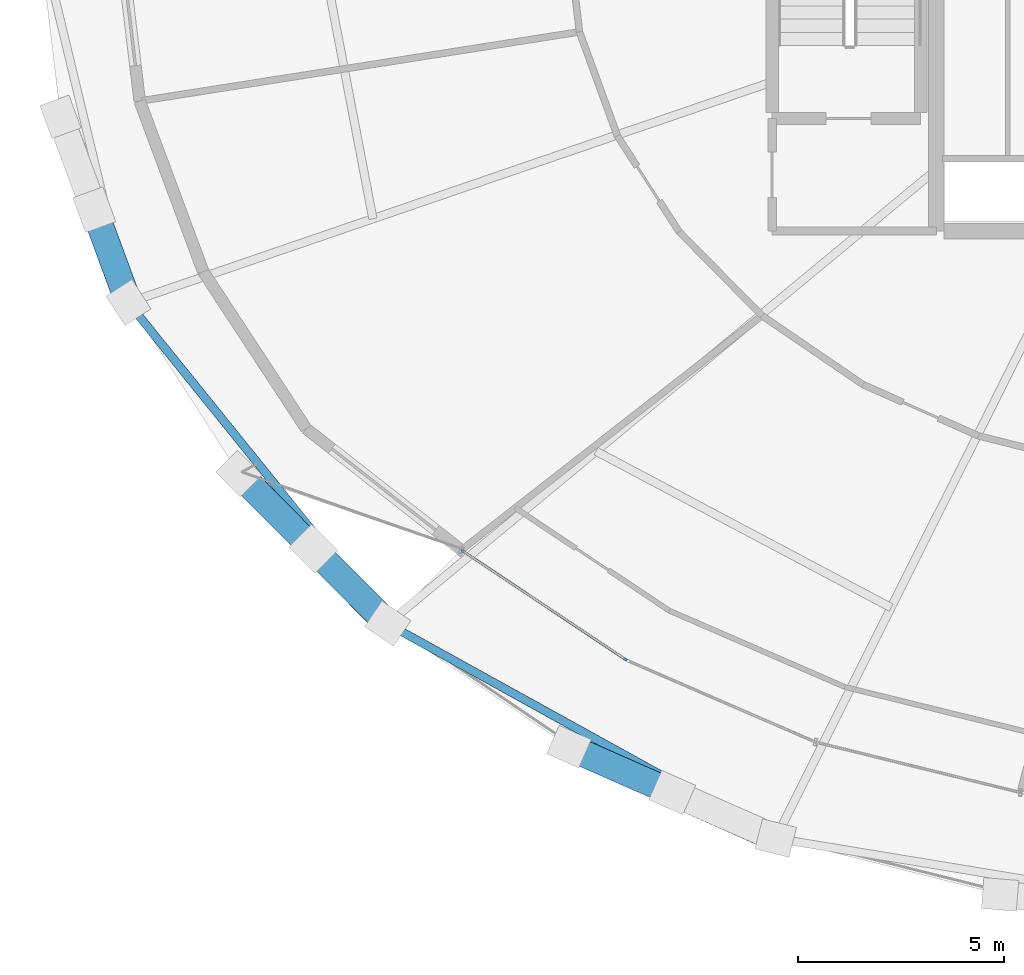
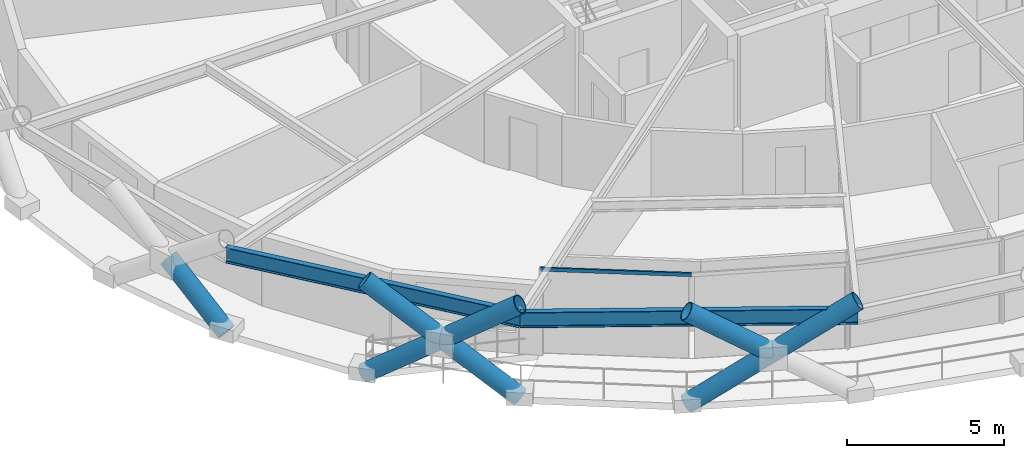
# One storey, part 1 of 19: 7 members, 2 beams, 1 element without a shape of its own.
"""IFC4 building model written with IfcOpenShell, lengths in metres."""

from ifc_helpers import new_model, si_unit, direction, frame, origin, origin_2d, place, context, subcontext, project, spatial, hollow_rectangle, hollow_circle, i_section, extrude, material, layer, layer_set, material_profile, profile_set, type_object, element, aggregate, save


model = new_model("IFC4")

# Units and contexts
model_context = context("Model", 3, precision=1e-05, world=origin(), true_north=direction((0.0, 1.0)))
body_context = subcontext(model_context, "Body", "Model", "MODEL_VIEW")
ifc_project = project(units=[si_unit("LENGTHUNIT", "METRE"), si_unit("AREAUNIT", "SQUARE_METRE"), si_unit("VOLUMEUNIT", "CUBIC_METRE"), si_unit("PLANEANGLEUNIT", "RADIAN"), si_unit("MASSUNIT", "GRAM", prefix="KILO")], contexts=[model_context])

# Site, building, storey
site_placement = place(None, origin())
site = spatial("IfcSite", under=ifc_project, at=site_placement, CompositionType="ELEMENT")
building_placement = place(site_placement, origin())
building = spatial("IfcBuilding", under=site, at=building_placement, Name="Veldorina Hangang Commons", CompositionType="ELEMENT")
storey_placement = place(building_placement, frame((0.0, 0.0, 77.199951171875)))
storey = spatial("IfcBuildingStorey", under=building, at=storey_placement, Name="L19", CompositionType="ELEMENT", Elevation=77.199951171875)

# Beams
ifc_material_1 = material(Name="Steel SM420-TMC", Category="steel")
ifc_material_profile_1 = material_profile(ifc_material_1, i_section(OverallWidth=0.199951171875, OverallDepth=0.60009765625, WebThickness=0.010986328125, FlangeThickness=0.01708984375, FilletRadius=0.01806640625, at=origin_2d()), Name="H-600x200x11x17")
ifc_profile_set_1 = profile_set([ifc_material_profile_1], Name="Steel SM420-TMC")
beam_type = type_object("IfcBeamType", Name="BM-RB600", PredefinedType="BEAM", material=ifc_profile_set_1)
beam_1_placement = place(storey_placement, frame((5.208984375, 14.816162109375, 3.0400390625), z_axis=(0.628184894651, -0.778064096416, 0.0), x_axis=(0.778064096416, 0.628184894651, 0.0)))
element("IfcBeam", 1, at=beam_1_placement, inside=storey, type_object=beam_type, Name="L19 perimeter hoop ring beam 18", PredefinedType="BEAM", context=body_context, shape_type="SweptSolid", body=[
    extrude(i_section(OverallWidth=0.199951171875, OverallDepth=0.60009765625, WebThickness=0.010986328125, FlangeThickness=0.01708984375, FilletRadius=0.01806640625, at=origin_2d()), origin(), (0.0, 0.0, 1.0), 10.00634765625),
])
beam_2_placement = place(storey_placement, frame((11.494873046875, 7.030517578125, 3.0400390625), z_axis=(0.875122851808, -0.483900810336, 0.0), x_axis=(0.483900810336, 0.875122851808, 0.0)))
element("IfcBeam", 2, at=beam_2_placement, inside=storey, type_object=beam_type, Name="L19 perimeter hoop ring beam 20", PredefinedType="BEAM", context=body_context, shape_type="SweptSolid", body=[
    extrude(i_section(OverallWidth=0.199951171875, OverallDepth=0.60009765625, WebThickness=0.010986328125, FlangeThickness=0.01708984375, FilletRadius=0.01806640625, at=origin_2d()), origin(), (0.0, 0.0, 1.0), 10.75048828125),
])

# Curtain wall, member
ifc_material_2 = material(Name="Glass Low-E Triple IGU", Category="glass")
ifc_layer = layer(ifc_material_2, 0.179931640625)
ifc_layer_set = layer_set([ifc_layer], Name="Glass Low-E Triple IGU")
curtain_wall_type = type_object("IfcCurtainWallType", Name="CW-SYS-Z1", PredefinedType="NOTDEFINED", material=ifc_layer_set)
curtain_wall_placement = place(storey_placement, origin())
curtain_wall = element("IfcCurtainWall", 3, at=curtain_wall_placement, inside=storey, type_object=curtain_wall_type, Name="L19 unitised curtain wall CW-L19-R1", PredefinedType="NOTDEFINED")
ifc_material_3 = material(Name="Aluminium Anodized AA6063-T6", Category="aluminium")
ifc_material_profile_2 = material_profile(ifc_material_3, hollow_rectangle(XDim=0.06005859375, YDim=0.139892578125, WallThickness=0.00341796875, at=origin_2d()), Name="ALU-RHS-140x60x3.5")
ifc_profile_set_2 = profile_set([ifc_material_profile_2], Name="Aluminium Anodized AA6063-T6")
member_type_1 = type_object("IfcMemberType", Name="CW-TRN-140", PredefinedType="USERDEFINED", material=ifc_profile_set_2)
member_1_placement = place(storey_placement, frame((13.282470703125, 8.818115234375, 3.260009765625), z_axis=(0.832408665384, -0.554162263054, 0.0), x_axis=(0.554162263054, 0.832408665384, 0.0)))
member_1 = element("IfcMember", 4, at=member_1_placement, type_object=member_type_1, Name="CW-L19-R1 facet 1 transom 1", ObjectType="TRANSOM", PredefinedType="USERDEFINED", context=body_context, shape_type="SweptSolid", body=[
    extrude(hollow_rectangle(XDim=0.06005859375, YDim=0.139892578125, WallThickness=0.00341796875, at=origin_2d()), origin(), (0.0, 0.0, 1.0), 4.81884765625),
])
aggregate(curtain_wall, [member_1])

# Members
ifc_material_4 = material(Name="Steel SM460-TMC", Category="steel")
ifc_material_profile_3 = material_profile(ifc_material_4, hollow_circle(Radius=0.324951171875, WallThickness=0.031982421875, at=origin_2d()), Name="CHS-650x32")
ifc_profile_set_3 = profile_set([ifc_material_profile_3], Name="Steel SM460-TMC")
member_type_2 = type_object("IfcMemberType", Name="DG-CHS650", PredefinedType="BRACE", material=ifc_profile_set_3)
member_2_placement = place(storey_placement, frame((5.21630859375, 14.819091796875, 0.0), z_axis=(-0.276751088981, 0.750273994024, 0.600414663911), x_axis=(-0.938207415241, -0.346073469061, 0.0)))
element("IfcMember", 5, at=member_2_placement, inside=storey, type_object=member_type_2, Name="L19 split perimeter diagrid lower brace 18", PredefinedType="BRACE", context=body_context, shape_type="SweptSolid", body=[
    extrude(hollow_circle(Radius=0.324951171875, WallThickness=0.031982421875, at=origin_2d()), origin(), (0.0, 0.0, 1.0), 2.99755859375),
])
member_3_placement = place(storey_placement, frame((7.895263671875, 10.67138671875, 0.0), z_axis=(0.574948923981, -0.581891997826, 0.575182960178), x_axis=(0.711337850209, 0.702850242129, 0.0)))
element("IfcMember", 6, at=member_3_placement, inside=storey, type_object=member_type_2, Name="L19 continuous perimeter diagrid brace 19", PredefinedType="BRACE", context=body_context, shape_type="SweptSolid", body=[
    extrude(hollow_circle(Radius=0.324951171875, WallThickness=0.031982421875, at=origin_2d()), origin(), (0.0, 0.0, 1.0), 6.259033203125),
])
member_4_placement = place(storey_placement, frame((11.50048828125, 7.0361328125, 0.0), z_axis=(-0.577164973201, 0.579817170672, 0.575058816386), x_axis=(-0.708725848857, -0.705483997807, 0.0)))
element("IfcMember", 7, at=member_4_placement, inside=storey, type_object=member_type_2, Name="L19 split perimeter diagrid lower brace 20", PredefinedType="BRACE", context=body_context, shape_type="SweptSolid", body=[
    extrude(hollow_circle(Radius=0.324951171875, WallThickness=0.031982421875, at=origin_2d()), origin(), (0.0, 0.0, 1.0), 3.1298828125),
])
member_5_placement = place(storey_placement, frame((9.694091796875, 8.850830078125, 1.7998046875), z_axis=(-0.577086916573, 0.579894366437, 0.575059313893), x_axis=(-0.708820510267, -0.705388888646, 0.0)))
element("IfcMember", 8, at=member_5_placement, inside=storey, type_object=member_type_2, Name="L19 split perimeter diagrid upper brace 20", PredefinedType="BRACE", context=body_context, shape_type="SweptSolid", body=[
    extrude(hollow_circle(Radius=0.324951171875, WallThickness=0.031982421875, at=origin_2d()), origin(), (0.0, 0.0, 1.0), 3.130615234375),
])
member_6_placement = place(storey_placement, frame((15.893798828125, 4.052490234375, 0.0), z_axis=(0.76378524103, -0.339410463938, 0.549028817599), x_axis=(0.406088866927, 0.913833591064, 0.0)))
element("IfcMember", 9, at=member_6_placement, inside=storey, type_object=member_type_2, Name="L19 continuous perimeter diagrid brace 21", PredefinedType="BRACE", context=body_context, shape_type="SweptSolid", body=[
    extrude(hollow_circle(Radius=0.324951171875, WallThickness=0.031982421875, at=origin_2d()), origin(), (0.0, 0.0, 1.0), 6.55712890625),
])
member_7_placement = place(storey_placement, frame((18.3974609375, 2.93994140625, 1.7998046875), z_axis=(-0.765008000563, 0.336835769441, 0.548912036212), x_axis=(-0.40297138432, -0.915212578267, 0.0)))
element("IfcMember", 10, at=member_7_placement, inside=storey, type_object=member_type_2, Name="L19 split perimeter diagrid upper brace 22", PredefinedType="BRACE", context=body_context, shape_type="SweptSolid", body=[
    extrude(hollow_circle(Radius=0.324951171875, WallThickness=0.031982421875, at=origin_2d()), origin(), (0.0, 0.0, 1.0), 3.27978515625),
])

save(model, "model.ifc")
